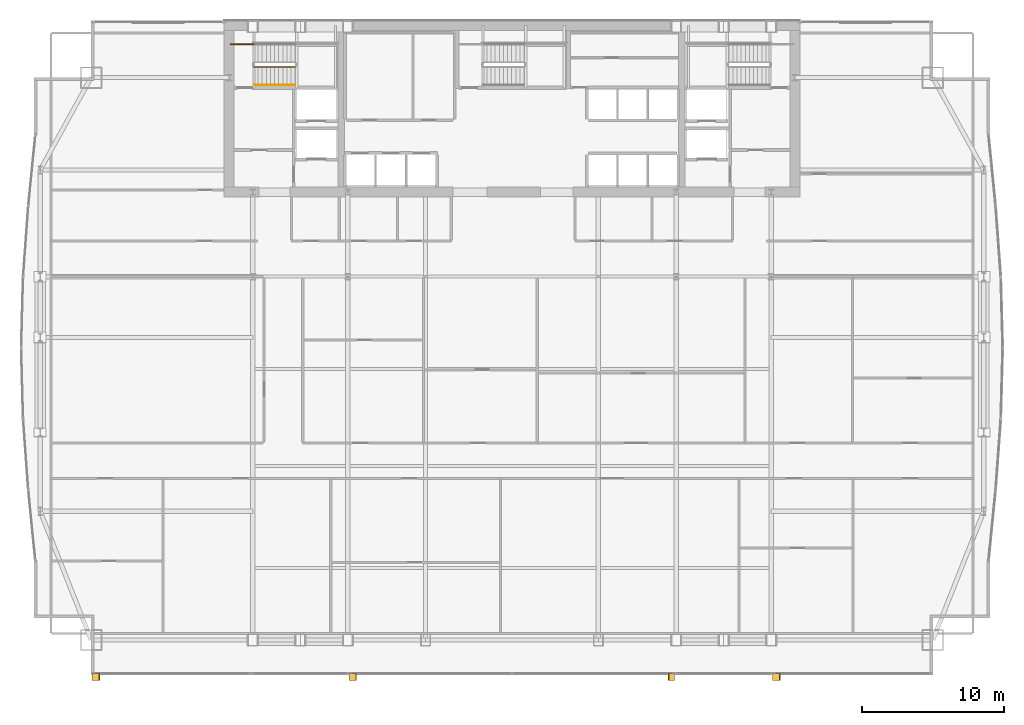
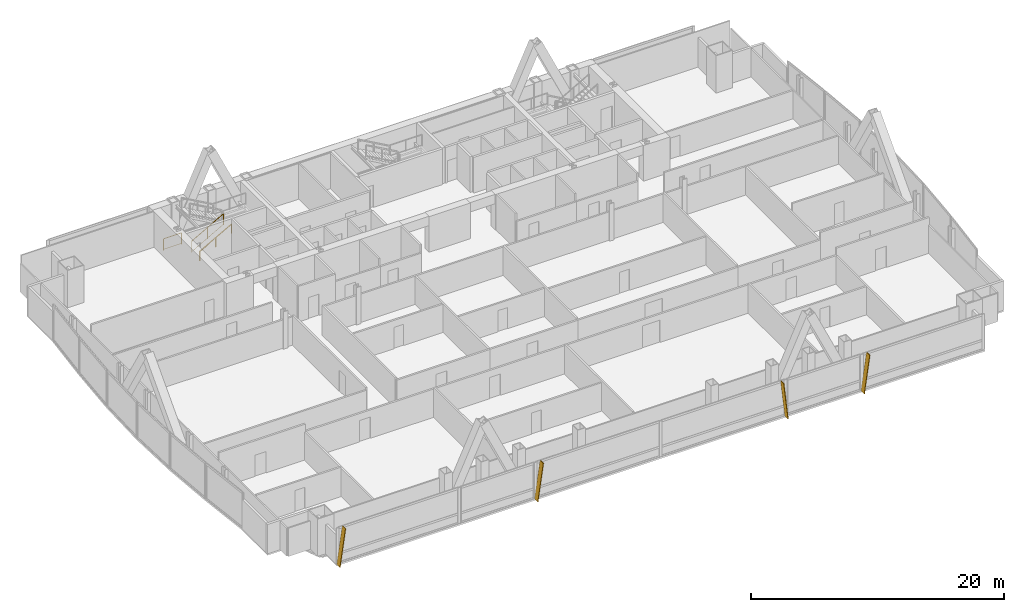
# One storey, part 30 of 31: 4 shading devices, 3 railings.
"""IFC4 building model written with IfcOpenShell, lengths in metres."""

from ifc_helpers import new_model, si_unit, direction, frame, origin, origin_2d, place, context, subcontext, project, spatial, polyline, rectangle, outline, extrude, material, layer, layer_set, type_object, element, save


model = new_model("IFC4")

# Units and contexts
model_context = context("Model", 3, precision=1e-05, world=origin(), true_north=direction((0.0, 1.0)))
body_context = subcontext(model_context, "Body", "Model", "MODEL_VIEW")
ifc_project = project(units=[si_unit("LENGTHUNIT", "METRE"), si_unit("AREAUNIT", "SQUARE_METRE"), si_unit("VOLUMEUNIT", "CUBIC_METRE"), si_unit("PLANEANGLEUNIT", "RADIAN"), si_unit("MASSUNIT", "GRAM", prefix="KILO")], contexts=[model_context])

# Site, building, storey
site_placement = place(None, origin())
site = spatial("IfcSite", under=ifc_project, at=site_placement, CompositionType="ELEMENT")
building_placement = place(site_placement, origin())
building = spatial("IfcBuilding", under=site, at=building_placement, Name="Khoronbel Lancet Exchange", CompositionType="ELEMENT")
storey_placement = place(building_placement, frame((0.0, 0.0, 129.0)))
storey = spatial("IfcBuildingStorey", under=building, at=storey_placement, Name="L31", CompositionType="ELEMENT", Elevation=129.0)

# Railings
ifc_material_1 = material(Name="Painted Steel Balustrade", Category="steel")
railing_type_1 = type_object("IfcRailingType", Name="RL-STG110", PredefinedType="GUARDRAIL", material=ifc_material_1)
railing_1_placement = place(storey_placement, frame((18.300048828125, 50.449951171875, 0.16357421875)))
element("IfcRailing", 1, at=railing_1_placement, inside=storey, type_object=railing_type_1, Name="L31 ST1 stair guard 1", PredefinedType="GUARDRAIL", context=body_context, shape_type="SweptSolid", body=[
    extrude(rectangle(XDim=0.048095703125, YDim=0.048095703125, at=origin_2d()), frame((0.0, 0.0, 1.09619140625), z_axis=(0.870897200241, 0.0, 0.491465224214), x_axis=(0.0, 1.0, 0.0)), (0.0, 0.0, 1.0), 3.329833984375),
    extrude(rectangle(XDim=0.02392578125, YDim=0.02392578125, at=origin_2d()), frame((0.0, 0.0, 0.080078125), z_axis=(0.870897200241, 0.0, 0.491465224214), x_axis=(0.0, 1.0, 0.0)), (0.0, 0.0, 1.0), 3.329833984375),
    extrude(rectangle(XDim=0.0419921875, YDim=0.0419921875, at=origin_2d()), origin(), (0.0, 0.0, 1.0), 1.072021484375),
    extrude(rectangle(XDim=0.0419921875, YDim=0.0419921875, at=origin_2d()), frame((1.449951171875, 0.0, 0.818359375)), (0.0, 0.0, 1.0), 1.072021484375),
    extrude(rectangle(XDim=0.0419921875, YDim=0.0419921875, at=origin_2d()), frame((2.89990234375, 0.0, 1.636474609375)), (0.0, 0.0, 1.0), 1.072021484375),
])
railing_2_placement = place(storey_placement, frame((16.64990234375, 52.050048828125, 0.0)))
element("IfcRailing", 2, at=railing_2_placement, inside=storey, type_object=railing_type_1, Name="L31 ST1 stair guard 6", PredefinedType="GUARDRAIL", context=body_context, shape_type="SweptSolid", body=[
    extrude(rectangle(XDim=0.048095703125, YDim=0.048095703125, at=origin_2d()), frame((0.0, 0.0, 1.09619140625), z_axis=(1.0, 0.0, 0.0), x_axis=(0.0, 1.0, 0.0)), (0.0, 0.0, 1.0), 1.650146484375),
    extrude(rectangle(XDim=0.02392578125, YDim=0.02392578125, at=origin_2d()), frame((0.0, 0.0, 0.080078125), z_axis=(1.0, 0.0, 0.0), x_axis=(0.0, 1.0, 0.0)), (0.0, 0.0, 1.0), 1.650146484375),
    extrude(rectangle(XDim=0.0419921875, YDim=0.0419921875, at=origin_2d()), origin(), (0.0, 0.0, 1.0), 1.072021484375),
    extrude(rectangle(XDim=0.0419921875, YDim=0.0419921875, at=origin_2d()), frame((1.650146484375, 0.0, 0.0)), (0.0, 0.0, 1.0), 1.072021484375),
])
ifc_material_2 = material(Name="Brushed Stainless Steel 316", Category="steel")
railing_type_2 = type_object("IfcRailingType", Name="RL-STH92", PredefinedType="HANDRAIL", material=ifc_material_2)
railing_3_placement = place(storey_placement, frame((18.300048828125, 49.169921875, 0.16357421875)))
element("IfcRailing", 3, at=railing_3_placement, inside=storey, type_object=railing_type_2, Name="L31 ST1 stair handrail 1", PredefinedType="HANDRAIL", context=body_context, shape_type="SweptSolid", body=[
    extrude(rectangle(XDim=0.048095703125, YDim=0.048095703125, at=origin_2d()), frame((0.0, 0.0, 0.8759765625), z_axis=(0.870897200241, 0.0, 0.491465224214), x_axis=(0.0, 1.0, 0.0)), (0.0, 0.0, 1.0), 3.329833984375),
    extrude(rectangle(XDim=0.0419921875, YDim=0.0419921875, at=origin_2d()), origin(), (0.0, 0.0, 1.0), 0.851806640625),
    extrude(rectangle(XDim=0.0419921875, YDim=0.0419921875, at=origin_2d()), frame((1.449951171875, 0.0, 0.818359375)), (0.0, 0.0, 1.0), 0.851806640625),
    extrude(rectangle(XDim=0.0419921875, YDim=0.0419921875, at=origin_2d()), frame((2.89990234375, 0.0, 1.636474609375)), (0.0, 0.0, 1.0), 0.851806640625),
])

# Shading devices
ifc_material_3 = material(Name="Bronze-Anodised Aluminium 6063-T6", Category="aluminium")
ifc_layer = layer(ifc_material_3, 0.054931640625, Name="Bronze-Anodised Aluminium 6063-T6")
ifc_layer_set = layer_set([ifc_layer], Name="Bronze-Anodised Aluminium 6063-T6")
shading_device_type = type_object("IfcShadingDeviceType", Name="SHD-FIN1", PredefinedType="USERDEFINED", material=ifc_layer_set)
for number, where, z_axis, x_axis, name in (
    (4, (6.91259765625, 7.81005859375, -0.080078125), (-0.990092925251, 0.0, 0.140413672296), (0.0, -1.0, 0.0), "Slanted bronze solar fin CW-L31-SWV-0"),
    (5, (24.972412109375, 7.81005859375, -0.080078125), (-0.990083483708, 0.0, 0.140480230955), (0.0, -1.0, 0.0), "Slanted bronze solar fin CW-L31-SCV-0"),
):
    element("IfcShadingDevice", number, at=place(storey_placement, frame(where, z_axis=z_axis, x_axis=x_axis)), inside=storey, type_object=shading_device_type, Name=name, ObjectType="FIN", PredefinedType="USERDEFINED", context=body_context, shape_type="SweptSolid", body=[
        extrude(outline(polyline([(0.0, 0.0), (0.52001953125, 0.0), (0.52001953125, 3.595703125), (0.0, 3.595703125), (0.0, 0.0)])), origin(), (0.0, 0.0, -1.0), 0.054931640625),
    ])
shading_device_1_placement = place(storey_placement, frame((47.87255859375, 7.81005859375, -0.080078125), z_axis=(0.993900347655, 0.0, 0.110281906632), x_axis=(0.0, -1.0, 0.0)))
element("IfcShadingDevice", 6, at=shading_device_1_placement, inside=storey, type_object=shading_device_type, Name="Slanted bronze solar fin CW-L31-SCV-2", ObjectType="FIN", PredefinedType="USERDEFINED", context=body_context, shape_type="SweptSolid", body=[
    extrude(outline(polyline([(0.0, 0.0), (0.52001953125, 0.0), (0.52001953125, -3.581787109375), (0.0, -3.581787109375), (0.0, 0.0)])), origin(), (0.0, 0.0, -1.0), 0.054931640625),
])
shading_device_2_placement = place(storey_placement, frame((54.7724609375, 7.81005859375, -0.080078125), z_axis=(-0.990083483708, 0.0, 0.140480230955), x_axis=(0.0, -1.0, 0.0)))
element("IfcShadingDevice", 7, at=shading_device_2_placement, inside=storey, type_object=shading_device_type, Name="Slanted bronze solar fin CW-L31-SEV-0", ObjectType="FIN", PredefinedType="USERDEFINED", context=body_context, shape_type="SweptSolid", body=[
    extrude(outline(polyline([(0.0, 0.0), (0.52001953125, 0.0), (0.52001953125, 3.595703125), (0.0, 3.595703125), (0.0, 0.0)])), origin(), (0.0, 0.0, -1.0), 0.054931640625),
])

save(model, "model.ifc")
